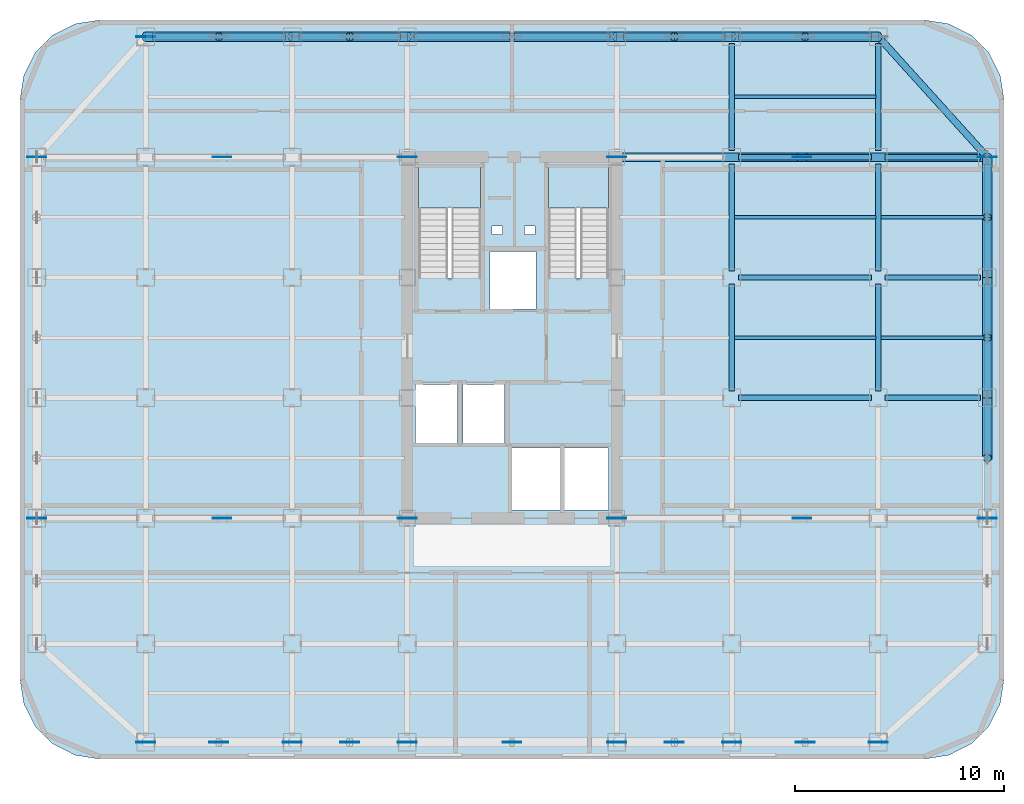
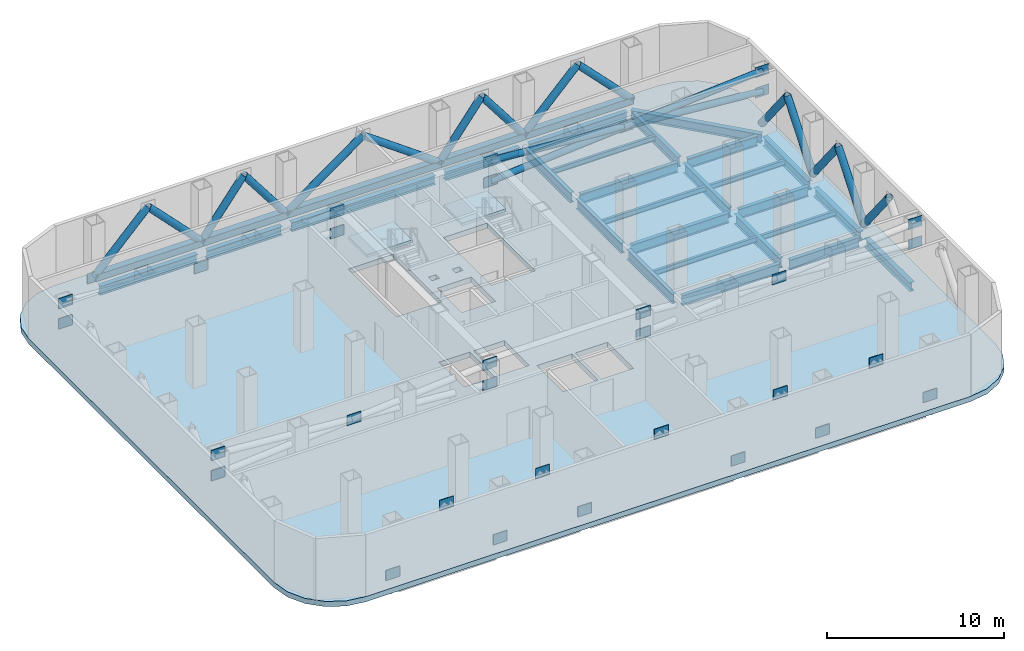
# One storey, part 3 of 9: 32 plates, 26 beams, 23 members, 3 slabs, 2 elements without a shape of their own.
"""IFC4 building model written with IfcOpenShell, lengths in metres."""

from ifc_helpers import new_model, si_unit, direction, frame, origin, origin_2d, place, context, subcontext, project, spatial, polyline, rectangle, hollow_rectangle, hollow_circle, i_section, outline, extrude, source, transform, mapped, material, layer, layer_set, material_profile, profile_set, type_object, element, aggregate, save


model = new_model("IFC4")

# Units and contexts
model_context = context("Model", 3, precision=1e-05, world=origin(), true_north=direction((0.0, 1.0)))
body_context = subcontext(model_context, "Body", "Model", "MODEL_VIEW")
ifc_project = project(units=[si_unit("LENGTHUNIT", "METRE"), si_unit("AREAUNIT", "SQUARE_METRE"), si_unit("VOLUMEUNIT", "CUBIC_METRE"), si_unit("PLANEANGLEUNIT", "RADIAN"), si_unit("MASSUNIT", "GRAM", prefix="KILO")], contexts=[model_context])

# Site, building, storey
site_placement = place(None, origin())
site = spatial("IfcSite", under=ifc_project, at=site_placement, CompositionType="ELEMENT")
building_placement = place(site_placement, origin())
building = spatial("IfcBuilding", under=site, at=building_placement, Name="Kolveth Station Tower", CompositionType="ELEMENT")
storey_placement = place(building_placement, frame((0.0, 0.0, 143.89990234375)))
storey = spatial("IfcBuildingStorey", under=building, at=storey_placement, Name="L40", CompositionType="ELEMENT", Elevation=143.89990234375)

# Beams
ifc_material_1 = material(Name="Steel S355", Category="steel")
ifc_material_profile_1 = material_profile(ifc_material_1, i_section(OverallWidth=0.323974609375, OverallDepth=0.611083984375, WebThickness=0.0126953125, FlangeThickness=0.01904296875, at=origin_2d()), Name="W610x155")
ifc_profile_set_1 = profile_set([ifc_material_profile_1], Name="Steel S355")
beam_type_1 = type_object("IfcBeamType", Name="Beam_SP2", PredefinedType="SPANDREL", material=ifc_profile_set_1)
shared_shape_1 = source(origin(), body_context, "Body", "SweptSolid", [
    extrude(i_section(OverallWidth=0.323974609375, OverallDepth=0.611083984375, WebThickness=0.0126953125, FlangeThickness=0.01904296875, at=origin_2d()), origin(), (0.0, 0.0, 1.0), 6.35986328125),
])
for number, where, z_axis, x_axis, name in (
    (1, (6.320068359375, 34.5, -0.665283203125), (1.0, 0.0, 0.0), (0.0, 1.0, 0.0), "L40 Perimeter Spandrel BM-L40-PN-1"),
    (2, (34.320068359375, 34.5, -0.665283203125), (1.0, 0.0, 0.0), (0.0, 1.0, 0.0), "L40 Perimeter Spandrel BM-L40-PN-5"),
):
    element("IfcBeam", number, at=place(storey_placement, frame(where, z_axis=z_axis, x_axis=x_axis)), inside=storey, type_object=beam_type_1, Name=name, PredefinedType="SPANDREL", context=body_context, shape_type="MappedRepresentation", body=[
        mapped(shared_shape_1, transform((0.0, 0.0, 0.0), x_axis=(1.0, 0.0, 0.0), y_axis=(0.0, 1.0, 0.0), z_axis=(0.0, 0.0, 1.0), scale=1.0)),
    ])
shared_shape_2 = source(origin(), body_context, "Body", "SweptSolid", [
    extrude(i_section(OverallWidth=0.323974609375, OverallDepth=0.611083984375, WebThickness=0.0126953125, FlangeThickness=0.01904296875, at=origin_2d()), origin(), (0.0, 0.0, 1.0), 4.85986328125),
])
for number, where, z_axis, x_axis, name in (
    (3, (13.320068359375, 34.5, -0.665283203125), (1.0, 0.0, 0.0), (0.0, 1.0, 0.0), "L40 Perimeter Spandrel BM-L40-PN-2"),
    (4, (28.820068359375, 34.5, -0.665283203125), (1.0, 0.0, 0.0), (0.0, 1.0, 0.0), "L40 Perimeter Spandrel BM-L40-PN-4"),
):
    element("IfcBeam", number, at=place(storey_placement, frame(where, z_axis=z_axis, x_axis=x_axis)), inside=storey, type_object=beam_type_1, Name=name, PredefinedType="SPANDREL", context=body_context, shape_type="MappedRepresentation", body=[
        mapped(shared_shape_2, transform((0.0, 0.0, 0.0), x_axis=(1.0, 0.0, 0.0), y_axis=(0.0, 1.0, 0.0), z_axis=(0.0, 0.0, 1.0), scale=1.0)),
    ])
shared_shape_3 = source(origin(), body_context, "Body", "SweptSolid", [
    extrude(i_section(OverallWidth=0.323974609375, OverallDepth=0.611083984375, WebThickness=0.0126953125, FlangeThickness=0.01904296875, at=origin_2d()), origin(), (0.0, 0.0, 1.0), 9.35986328125),
])
beam_1_placement = place(storey_placement, frame((18.820068359375, 34.5, -0.665283203125), z_axis=(1.0, 0.0, 0.0), x_axis=(0.0, 1.0, 0.0)))
element("IfcBeam", 5, at=beam_1_placement, inside=storey, type_object=beam_type_1, Name="L40 Perimeter Spandrel BM-L40-PN-3", PredefinedType="SPANDREL", context=body_context, shape_type="MappedRepresentation", body=[
    mapped(shared_shape_3, transform((0.0, 0.0, 0.0), x_axis=(1.0, 0.0, 0.0), y_axis=(0.0, 1.0, 0.0), z_axis=(0.0, 0.0, 1.0), scale=1.0)),
])
shared_shape_4 = source(origin(), body_context, "Body", "SweptSolid", [
    extrude(i_section(OverallWidth=0.323974609375, OverallDepth=0.611083984375, WebThickness=0.0126953125, FlangeThickness=0.01904296875, at=origin_2d()), origin(), (0.0, 0.0, 1.0), 5.10986328125),
])
for number, where, z_axis, x_axis, name in (
    (6, (46.199951171875, 11.820068359375, -0.665283203125), (0.0, 1.0, 0.0), (-1.0, 0.0, 0.0), "L40 Perimeter Spandrel BM-L40-PE-2"),
    (7, (46.199951171875, 17.570068359375, -0.665283203125), (0.0, 1.0, 0.0), (-1.0, 0.0, 0.0), "L40 Perimeter Spandrel BM-L40-PE-3"),
    (8, (46.199951171875, 23.320068359375, -0.665283203125), (0.0, 1.0, 0.0), (-1.0, 0.0, 0.0), "L40 Perimeter Spandrel BM-L40-PE-4"),
):
    element("IfcBeam", number, at=place(storey_placement, frame(where, z_axis=z_axis, x_axis=x_axis)), inside=storey, type_object=beam_type_1, Name=name, PredefinedType="SPANDREL", context=body_context, shape_type="MappedRepresentation", body=[
        mapped(shared_shape_4, transform((0.0, 0.0, 0.0), x_axis=(1.0, 0.0, 0.0), y_axis=(0.0, 1.0, 0.0), z_axis=(0.0, 0.0, 1.0), scale=1.0)),
    ])
shared_shape_5 = source(origin(), body_context, "Body", "SweptSolid", [
    extrude(i_section(OverallWidth=0.323974609375, OverallDepth=0.611083984375, WebThickness=0.0126953125, FlangeThickness=0.01904296875, at=origin_2d()), origin(), (0.0, 0.0, 1.0), 7.75244140625),
])
beam_2_placement = place(storey_placement, frame((46.199951171875, 28.75, -0.665283203125), z_axis=(-0.670740965555, 0.74169168603, 0.0), x_axis=(-0.74169168603, -0.670740965555, 0.0)))
element("IfcBeam", 9, at=beam_2_placement, inside=storey, type_object=beam_type_1, Name="L40 Corner Edge Girder BM-L40-CNR-NE", PredefinedType="SPANDREL", context=body_context, shape_type="MappedRepresentation", body=[
    mapped(shared_shape_5, transform((0.0, 0.0, 0.0), x_axis=(1.0, 0.0, 0.0), y_axis=(0.0, 1.0, 0.0), z_axis=(0.0, 0.0, 1.0), scale=1.0)),
])
ifc_material_profile_2 = material_profile(ifc_material_1, i_section(OverallWidth=0.25390625, OverallDepth=0.68798828125, WebThickness=0.01318359375, FlangeThickness=0.02099609375, at=origin_2d()), Name="W690x152")
ifc_profile_set_2 = profile_set([ifc_material_profile_2], Name="Steel S355")
beam_type_2 = type_object("IfcBeamType", Name="Beam_B4", PredefinedType="BEAM", material=ifc_profile_set_2)
shared_shape_6 = source(origin(), body_context, "Body", "SweptSolid", [
    extrude(i_section(OverallWidth=0.25390625, OverallDepth=0.68798828125, WebThickness=0.01318359375, FlangeThickness=0.02099609375, at=origin_2d()), origin(), (0.0, 0.0, 1.0), 4.559814453125),
])
for number, where, z_axis, x_axis, name in (
    (10, (41.320068359375, 17.25, -0.703857421875), (1.0, 0.0, 0.0), (0.0, 1.0, 0.0), "L40 Primary Girder BM-L40-GY172-7"),
    (11, (41.320068359375, 23.0, -0.703857421875), (1.0, 0.0, 0.0), (0.0, 1.0, 0.0), "L40 Primary Girder BM-L40-GY230-7"),
    (12, (41.320068359375, 28.75, -0.703857421875), (1.0, 0.0, 0.0), (0.0, 1.0, 0.0), "L40 Primary Girder BM-L40-GY287-7"),
):
    element("IfcBeam", number, at=place(storey_placement, frame(where, z_axis=z_axis, x_axis=x_axis)), inside=storey, type_object=beam_type_2, Name=name, PredefinedType="BEAM", context=body_context, shape_type="MappedRepresentation", body=[
        mapped(shared_shape_6, transform((0.0, 0.0, 0.0), x_axis=(1.0, 0.0, 0.0), y_axis=(0.0, 1.0, 0.0), z_axis=(0.0, 0.0, 1.0), scale=1.0)),
    ])
shared_shape_7 = source(origin(), body_context, "Body", "SweptSolid", [
    extrude(i_section(OverallWidth=0.25390625, OverallDepth=0.68798828125, WebThickness=0.01318359375, FlangeThickness=0.02099609375, at=origin_2d()), origin(), (0.0, 0.0, 1.0), 6.35986328125),
])
for number, where, z_axis, x_axis, name in (
    (13, (34.320068359375, 17.25, -0.703857421875), (1.0, 0.0, 0.0), (0.0, 1.0, 0.0), "L40 Primary Girder BM-L40-GY172-6"),
    (14, (34.320068359375, 23.0, -0.703857421875), (1.0, 0.0, 0.0), (0.0, 1.0, 0.0), "L40 Primary Girder BM-L40-GY230-6"),
    (15, (34.320068359375, 28.75, -0.703857421875), (1.0, 0.0, 0.0), (0.0, 1.0, 0.0), "L40 Primary Girder BM-L40-GY287-6"),
):
    element("IfcBeam", number, at=place(storey_placement, frame(where, z_axis=z_axis, x_axis=x_axis)), inside=storey, type_object=beam_type_2, Name=name, PredefinedType="BEAM", context=body_context, shape_type="MappedRepresentation", body=[
        mapped(shared_shape_7, transform((0.0, 0.0, 0.0), x_axis=(1.0, 0.0, 0.0), y_axis=(0.0, 1.0, 0.0), z_axis=(0.0, 0.0, 1.0), scale=1.0)),
    ])
shared_shape_8 = source(origin(), body_context, "Body", "SweptSolid", [
    extrude(i_section(OverallWidth=0.25390625, OverallDepth=0.68798828125, WebThickness=0.01318359375, FlangeThickness=0.02099609375, at=origin_2d()), origin(), (0.0, 0.0, 1.0), 5.10986328125),
])
for number, where, z_axis, x_axis, name in (
    (16, (34.0, 17.570068359375, -0.703857421875), (0.0, 1.0, 0.0), (-1.0, 0.0, 0.0), "L40 Primary Girder BM-L40-GX340-4"),
    (17, (34.0, 23.320068359375, -0.703857421875), (0.0, 1.0, 0.0), (-1.0, 0.0, 0.0), "L40 Primary Girder BM-L40-GX340-5"),
    (18, (34.0, 29.070068359375, -0.703857421875), (0.0, 1.0, 0.0), (-1.0, 0.0, 0.0), "L40 Primary Girder BM-L40-GX340-6"),
    (19, (41.0, 17.570068359375, -0.703857421875), (0.0, 1.0, 0.0), (-1.0, 0.0, 0.0), "L40 Primary Girder BM-L40-GX410-4"),
    (20, (41.0, 23.320068359375, -0.703857421875), (0.0, 1.0, 0.0), (-1.0, 0.0, 0.0), "L40 Primary Girder BM-L40-GX410-5"),
    (21, (41.0, 29.070068359375, -0.703857421875), (0.0, 1.0, 0.0), (-1.0, 0.0, 0.0), "L40 Primary Girder BM-L40-GX410-6"),
):
    element("IfcBeam", number, at=place(storey_placement, frame(where, z_axis=z_axis, x_axis=x_axis)), inside=storey, type_object=beam_type_2, Name=name, PredefinedType="BEAM", context=body_context, shape_type="MappedRepresentation", body=[
        mapped(shared_shape_8, transform((0.0, 0.0, 0.0), x_axis=(1.0, 0.0, 0.0), y_axis=(0.0, 1.0, 0.0), z_axis=(0.0, 0.0, 1.0), scale=1.0)),
    ])
ifc_material_profile_3 = material_profile(ifc_material_1, i_section(OverallWidth=0.1708984375, OverallDepth=0.35205078125, WebThickness=0.0068359375, FlangeThickness=0.009765625, at=origin_2d()), Name="W360x44")
ifc_profile_set_3 = profile_set([ifc_material_profile_3], Name="Steel S355")
beam_type_3 = type_object("IfcBeamType", Name="Beam_J2", PredefinedType="JOIST", material=ifc_profile_set_3)
shared_shape_9 = source(origin(), body_context, "Body", "SweptSolid", [
    extrude(i_section(OverallWidth=0.1708984375, OverallDepth=0.35205078125, WebThickness=0.0068359375, FlangeThickness=0.009765625, at=origin_2d()), origin(), (0.0, 0.0, 1.0), 4.9150390625),
])
for number, where, z_axis, x_axis, name in (
    (22, (41.125, 20.125, -0.535888671875), (1.0, 0.0, 0.0), (0.0, 1.0, 0.0), "L40 Secondary Joist JST-L40-7-4"),
    (23, (41.125, 25.875, -0.535888671875), (1.0, 0.0, 0.0), (0.0, 1.0, 0.0), "L40 Secondary Joist JST-L40-7-5"),
):
    element("IfcBeam", number, at=place(storey_placement, frame(where, z_axis=z_axis, x_axis=x_axis)), inside=storey, type_object=beam_type_3, Name=name, PredefinedType="JOIST", context=body_context, shape_type="MappedRepresentation", body=[
        mapped(shared_shape_9, transform((0.0, 0.0, 0.0), x_axis=(1.0, 0.0, 0.0), y_axis=(0.0, 1.0, 0.0), z_axis=(0.0, 0.0, 1.0), scale=1.0)),
    ])
shared_shape_10 = source(origin(), body_context, "Body", "SweptSolid", [
    extrude(i_section(OverallWidth=0.1708984375, OverallDepth=0.35205078125, WebThickness=0.0068359375, FlangeThickness=0.009765625, at=origin_2d()), origin(), (0.0, 0.0, 1.0), 6.75),
])
for number, where, z_axis, x_axis, name in (
    (24, (34.125, 20.125, -0.535888671875), (1.0, 0.0, 0.0), (0.0, 1.0, 0.0), "L40 Secondary Joist JST-L40-6-4"),
    (25, (34.125, 25.875, -0.535888671875), (1.0, 0.0, 0.0), (0.0, 1.0, 0.0), "L40 Secondary Joist JST-L40-6-5"),
    (26, (34.125, 31.625, -0.535888671875), (1.0, 0.0, 0.0), (0.0, 1.0, 0.0), "L40 Secondary Joist JST-L40-6-6"),
):
    element("IfcBeam", number, at=place(storey_placement, frame(where, z_axis=z_axis, x_axis=x_axis)), inside=storey, type_object=beam_type_3, Name=name, PredefinedType="JOIST", context=body_context, shape_type="MappedRepresentation", body=[
        mapped(shared_shape_10, transform((0.0, 0.0, 0.0), x_axis=(1.0, 0.0, 0.0), y_axis=(0.0, 1.0, 0.0), z_axis=(0.0, 0.0, 1.0), scale=1.0)),
    ])

# Members
ifc_material_2 = material(Name="Steel S460", Category="steel")
ifc_material_profile_4 = material_profile(ifc_material_2, hollow_rectangle(XDim=0.449951171875, YDim=0.449951171875, WallThickness=0.02490234375, at=origin_2d()), Name="HSS450x450x25")
ifc_profile_set_4 = profile_set([ifc_material_profile_4], Name="Steel S460")
member_type_1 = type_object("IfcMemberType", Name="Mem_CH1", PredefinedType="CHORD", material=ifc_profile_set_4)
shared_shape_11 = source(origin(), body_context, "Body", "SweptSolid", [
    extrude(hollow_rectangle(XDim=0.449951171875, YDim=0.449951171875, WallThickness=0.02490234375, at=origin_2d()), origin(), (0.0, 0.0, 1.0), 7.0),
])
for number, where, z_axis, x_axis, name in (
    (27, (6.0, 34.5, 0.35009765625), (1.0, 0.0, 0.0), (0.0, 1.0, 0.0), "L40 Belt Truss Bottom Chord N1"),
    (28, (34.0, 34.5, 0.35009765625), (1.0, 0.0, 0.0), (0.0, 1.0, 0.0), "L40 Belt Truss Bottom Chord N5"),
):
    element("IfcMember", number, at=place(storey_placement, frame(where, z_axis=z_axis, x_axis=x_axis)), inside=storey, type_object=member_type_1, Name=name, PredefinedType="CHORD", context=body_context, shape_type="MappedRepresentation", body=[
        mapped(shared_shape_11, transform((0.0, 0.0, 0.0), x_axis=(1.0, 0.0, 0.0), y_axis=(0.0, 1.0, 0.0), z_axis=(0.0, 0.0, 1.0), scale=1.0)),
    ])
shared_shape_12 = source(origin(), body_context, "Body", "SweptSolid", [
    extrude(hollow_rectangle(XDim=0.449951171875, YDim=0.449951171875, WallThickness=0.02490234375, at=origin_2d()), origin(), (0.0, 0.0, 1.0), 5.5),
])
for number, where, z_axis, x_axis, name in (
    (29, (13.0, 34.5, 0.35009765625), (1.0, 0.0, 0.0), (0.0, 1.0, 0.0), "L40 Belt Truss Bottom Chord N2"),
    (30, (28.5, 34.5, 0.35009765625), (1.0, 0.0, 0.0), (0.0, 1.0, 0.0), "L40 Belt Truss Bottom Chord N4"),
):
    element("IfcMember", number, at=place(storey_placement, frame(where, z_axis=z_axis, x_axis=x_axis)), inside=storey, type_object=member_type_1, Name=name, PredefinedType="CHORD", context=body_context, shape_type="MappedRepresentation", body=[
        mapped(shared_shape_12, transform((0.0, 0.0, 0.0), x_axis=(1.0, 0.0, 0.0), y_axis=(0.0, 1.0, 0.0), z_axis=(0.0, 0.0, 1.0), scale=1.0)),
    ])
shared_shape_13 = source(origin(), body_context, "Body", "SweptSolid", [
    extrude(hollow_rectangle(XDim=0.449951171875, YDim=0.449951171875, WallThickness=0.02490234375, at=origin_2d()), origin(), (0.0, 0.0, 1.0), 10.0),
])
member_1_placement = place(storey_placement, frame((18.5, 34.5, 0.35009765625), z_axis=(1.0, 0.0, 0.0), x_axis=(0.0, 1.0, 0.0)))
element("IfcMember", 31, at=member_1_placement, inside=storey, type_object=member_type_1, Name="L40 Belt Truss Bottom Chord N3", PredefinedType="CHORD", context=body_context, shape_type="MappedRepresentation", body=[
    mapped(shared_shape_13, transform((0.0, 0.0, 0.0), x_axis=(1.0, 0.0, 0.0), y_axis=(0.0, 1.0, 0.0), z_axis=(0.0, 0.0, 1.0), scale=1.0)),
])
ifc_material_profile_5 = material_profile(ifc_material_2, hollow_circle(Radius=0.228515625, WallThickness=0.02197265625, at=origin_2d()), Name="CHS457x22")
ifc_profile_set_5 = profile_set([ifc_material_profile_5], Name="Steel S460")
member_type_2 = type_object("IfcMemberType", Name="Mem_BR2", PredefinedType="BRACE", material=ifc_profile_set_5)
shared_shape_14 = source(origin(), body_context, "Body", "SweptSolid", [
    extrude(hollow_circle(Radius=0.228515625, WallThickness=0.02197265625, at=origin_2d()), origin(), (0.0, 0.0, 1.0), 5.02099609375),
])
for number, where, z_axis, x_axis, name in (
    (32, (6.0, 34.5, 0.35009765625), (0.697068672355, 0.0, 0.717004369597), (0.0, 1.0, 0.0), "L40 Belt Truss Brace N1A"),
    (33, (13.0, 34.5, 0.35009765625), (-0.697068672355, 0.0, 0.717004369597), (0.0, -1.0, 0.0), "L40 Belt Truss Brace N1B"),
    (34, (34.0, 34.5, 0.35009765625), (0.697068672355, 0.0, 0.717004369597), (0.0, 1.0, 0.0), "L40 Belt Truss Brace N5A"),
    (35, (41.0, 34.5, 0.35009765625), (-0.697068672355, 0.0, 0.717004369597), (0.0, -1.0, 0.0), "L40 Belt Truss Brace N5B"),
):
    element("IfcMember", number, at=place(storey_placement, frame(where, z_axis=z_axis, x_axis=x_axis)), inside=storey, type_object=member_type_2, Name=name, PredefinedType="BRACE", context=body_context, shape_type="MappedRepresentation", body=[
        mapped(shared_shape_14, transform((0.0, 0.0, 0.0), x_axis=(1.0, 0.0, 0.0), y_axis=(0.0, 1.0, 0.0), z_axis=(0.0, 0.0, 1.0), scale=1.0)),
    ])
shared_shape_15 = source(origin(), body_context, "Body", "SweptSolid", [
    extrude(hollow_circle(Radius=0.228515625, WallThickness=0.02197265625, at=origin_2d()), origin(), (0.0, 0.0, 1.0), 4.5302734375),
])
for number, where, z_axis, x_axis, name in (
    (36, (13.0, 34.5, 0.35009765625), (0.607029954036, 0.0, 0.794678950836), (0.0, 1.0, 0.0), "L40 Belt Truss Brace N2A"),
    (37, (18.5, 34.5, 0.35009765625), (-0.607029954036, 0.0, 0.794678950836), (0.0, -1.0, 0.0), "L40 Belt Truss Brace N2B"),
    (38, (28.5, 34.5, 0.35009765625), (0.607029954036, 0.0, 0.794678950836), (0.0, 1.0, 0.0), "L40 Belt Truss Brace N4A"),
    (39, (34.0, 34.5, 0.35009765625), (-0.607029954036, 0.0, 0.794678950836), (0.0, -1.0, 0.0), "L40 Belt Truss Brace N4B"),
):
    element("IfcMember", number, at=place(storey_placement, frame(where, z_axis=z_axis, x_axis=x_axis)), inside=storey, type_object=member_type_2, Name=name, PredefinedType="BRACE", context=body_context, shape_type="MappedRepresentation", body=[
        mapped(shared_shape_15, transform((0.0, 0.0, 0.0), x_axis=(1.0, 0.0, 0.0), y_axis=(0.0, 1.0, 0.0), z_axis=(0.0, 0.0, 1.0), scale=1.0)),
    ])
shared_shape_16 = source(origin(), body_context, "Body", "SweptSolid", [
    extrude(hollow_circle(Radius=0.228515625, WallThickness=0.02197265625, at=origin_2d()), origin(), (0.0, 0.0, 1.0), 6.1611328125),
])
for number, where, z_axis, x_axis, name in (
    (40, (18.5, 34.5, 0.35009765625), (0.811526825515, 0.0, 0.584315164504), (0.0, 1.0, 0.0), "L40 Belt Truss Brace N3A"),
    (41, (28.5, 34.5, 0.35009765625), (-0.811526825515, 0.0, 0.584315164504), (0.0, -1.0, 0.0), "L40 Belt Truss Brace N3B"),
):
    element("IfcMember", number, at=place(storey_placement, frame(where, z_axis=z_axis, x_axis=x_axis)), inside=storey, type_object=member_type_2, Name=name, PredefinedType="BRACE", context=body_context, shape_type="MappedRepresentation", body=[
        mapped(shared_shape_16, transform((0.0, 0.0, 0.0), x_axis=(1.0, 0.0, 0.0), y_axis=(0.0, 1.0, 0.0), z_axis=(0.0, 0.0, 1.0), scale=1.0)),
    ])
shared_shape_17 = source(origin(), body_context, "Body", "SweptSolid", [
    extrude(hollow_circle(Radius=0.228515625, WallThickness=0.02197265625, at=origin_2d()), origin(), (0.0, 0.0, 1.0), 4.607177734375),
])
for number, where, z_axis, x_axis, name in (
    (42, (46.199951171875, 17.25, 0.35009765625), (0.0, -0.624022734425, 0.781406185617), (1.0, 0.0, 0.0), "L40 Belt Truss Brace E2B"),
    (43, (46.199951171875, 17.25, 0.35009765625), (0.0, 0.624022734425, 0.781406185617), (-1.0, 0.0, 0.0), "L40 Belt Truss Brace E3A"),
    (44, (46.199951171875, 23.0, 0.35009765625), (0.0, -0.624022734425, 0.781406185617), (1.0, 0.0, 0.0), "L40 Belt Truss Brace E3B"),
    (45, (46.199951171875, 23.0, 0.35009765625), (0.0, 0.624022734425, 0.781406185617), (-1.0, 0.0, 0.0), "L40 Belt Truss Brace E4A"),
    (46, (46.199951171875, 28.75, 0.35009765625), (0.0, -0.624022734425, 0.781406185617), (1.0, 0.0, 0.0), "L40 Belt Truss Brace E4B"),
):
    element("IfcMember", number, at=place(storey_placement, frame(where, z_axis=z_axis, x_axis=x_axis)), inside=storey, type_object=member_type_2, Name=name, PredefinedType="BRACE", context=body_context, shape_type="MappedRepresentation", body=[
        mapped(shared_shape_17, transform((0.0, 0.0, 0.0), x_axis=(1.0, 0.0, 0.0), y_axis=(0.0, 1.0, 0.0), z_axis=(0.0, 0.0, 1.0), scale=1.0)),
    ])
ifc_material_profile_6 = material_profile(ifc_material_1, hollow_circle(Radius=0.202880859375, WallThickness=0.02001953125, at=origin_2d()), Name="CHS406x20")
ifc_profile_set_6 = profile_set([ifc_material_profile_6], Name="Steel S355")
member_type_3 = type_object("IfcMemberType", Name="Mem_BR3", PredefinedType="BRACE", material=ifc_profile_set_6)
shared_shape_18 = source(origin(), body_context, "Body", "SweptSolid", [
    extrude(hollow_circle(Radius=0.202880859375, WallThickness=0.02001953125, at=origin_2d()), origin(), (0.0, 0.0, 1.0), 17.755126953125),
])
member_2_placement = place(storey_placement, frame((28.5, 28.75, 2.550048828125), z_axis=(0.996885843519, 0.0, 0.078858195459), x_axis=(0.0, 1.0, 0.0)))
element("IfcMember", 47, at=member_2_placement, inside=storey, type_object=member_type_3, Name="L40 Outrigger Continuous Diagonal 4A", PredefinedType="BRACE", context=body_context, shape_type="MappedRepresentation", body=[
    mapped(shared_shape_18, transform((0.0, 0.0, 0.0), x_axis=(1.0, 0.0, 0.0), y_axis=(0.0, 1.0, 0.0), z_axis=(0.0, 0.0, 1.0), scale=1.0)),
])
shared_shape_19 = source(origin(), body_context, "Body", "SweptSolid", [
    extrude(hollow_circle(Radius=0.202880859375, WallThickness=0.02001953125, at=origin_2d()), origin(), (0.0, 0.0, 1.0), 8.657470703125),
])
for number, where, z_axis, x_axis, name in (
    (48, (46.199951171875, 28.75, 2.550048828125), (-0.996884567752, 0.0, 0.078874321405), (0.0, -1.0, 0.0), "L40 Outrigger Split Lower Diagonal 4B1"),
    (49, (37.130615234375, 28.75, 3.267333984375), (-0.996884567752, 0.0, 0.078874321405), (0.0, -1.0, 0.0), "L40 Outrigger Split Upper Diagonal 4B2"),
):
    element("IfcMember", number, at=place(storey_placement, frame(where, z_axis=z_axis, x_axis=x_axis)), inside=storey, type_object=member_type_3, Name=name, PredefinedType="BRACE", context=body_context, shape_type="MappedRepresentation", body=[
        mapped(shared_shape_19, transform((0.0, 0.0, 0.0), x_axis=(1.0, 0.0, 0.0), y_axis=(0.0, 1.0, 0.0), z_axis=(0.0, 0.0, 1.0), scale=1.0)),
    ])

# Slab
ifc_material_3 = material(Name="Concrete C50/60", Category="concrete")
ifc_layer_1 = layer(ifc_material_3, 0.360107421875)
ifc_layer_set_1 = layer_set([ifc_layer_1], Name="Concrete C50/60")
slab_type_1 = type_object("IfcSlabType", Name="Slab_SF-360", PredefinedType="FLOOR", material=ifc_layer_set_1)
slab_1_placement = place(storey_placement, frame((0.0, 0.0, -0.35986328125)))
element("IfcSlab", 50, at=slab_1_placement, inside=storey, type_object=slab_type_1, Name="L40 Tower Structural Floor Slab", PredefinedType="FLOOR", context=body_context, shape_type="SweptSolid", body=[
    extrude(outline(polyline([(43.199951171875, 0.0), (44.374267578125, 0.18603515625), (45.43359375, 0.7255859375), (46.2744140625, 1.56640625), (46.81396484375, 2.625732421875), (47.0, 3.800048828125), (47.0, 31.5), (46.81396484375, 32.67431640625), (46.2744140625, 33.733642578125), (45.43359375, 34.57421875), (44.374267578125, 35.114013671875), (43.199951171875, 35.300048828125), (3.800048828125, 35.300048828125), (2.625732421875, 35.114013671875), (1.56640625, 34.57421875), (0.7255859375, 33.733642578125), (0.18603515625, 32.67431640625), (0.0, 31.5), (0.0, 3.800048828125), (0.18603515625, 2.625732421875), (0.7255859375, 1.56640625), (1.56640625, 0.7255859375), (2.625732421875, 0.18603515625), (3.800048828125, 0.0), (43.199951171875, 0.0)]), holes=[polyline([(19.0400390625, 22.985107421875), (22.0, 22.985107421875), (22.0, 28.39990234375), (19.0400390625, 28.39990234375), (19.0400390625, 22.985107421875)]), polyline([(25.239990234375, 22.985107421875), (28.10009765625, 22.985107421875), (28.10009765625, 28.39990234375), (25.239990234375, 28.39990234375), (25.239990234375, 22.985107421875)]), polyline([(18.89990234375, 15.10009765625), (20.89990234375, 15.10009765625), (20.89990234375, 17.89990234375), (18.89990234375, 17.89990234375), (18.89990234375, 15.10009765625)]), polyline([(21.14990234375, 15.10009765625), (23.14990234375, 15.10009765625), (23.14990234375, 17.89990234375), (21.14990234375, 17.89990234375), (21.14990234375, 15.10009765625)]), polyline([(22.449951171875, 21.5), (24.64990234375, 21.5), (24.64990234375, 24.25), (22.449951171875, 24.25), (22.449951171875, 21.5)]), polyline([(23.5, 11.89990234375), (25.800048828125, 11.89990234375), (25.800048828125, 14.85009765625), (23.5, 14.85009765625), (23.5, 11.89990234375)]), polyline([(26.0, 11.89990234375), (28.10009765625, 11.89990234375), (28.10009765625, 14.85009765625), (26.0, 14.85009765625), (26.0, 11.89990234375)]), polyline([(22.550048828125, 25.050048828125), (23.050048828125, 25.050048828125), (23.050048828125, 25.449951171875), (22.550048828125, 25.449951171875), (22.550048828125, 25.050048828125)]), polyline([(24.10009765625, 25.050048828125), (24.60009765625, 25.050048828125), (24.60009765625, 25.449951171875), (24.10009765625, 25.449951171875), (24.10009765625, 25.050048828125)])]), origin(), (0.0, 0.0, 1.0), 0.35986328125),
])

# Stair, slab
ifc_material_4 = material(Name="Concrete C40/50", Category="concrete")
stair_type_1 = type_object("IfcStairType", Name="Stair_ST2", PredefinedType="HALF_TURN_STAIR", material=ifc_material_4)
stair_1_placement = place(storey_placement, origin())
stair_1 = element("IfcStair", 51, at=stair_1_placement, inside=storey, type_object=stair_type_1, Name="L40 Tower Exit Stair ST2", PredefinedType="HALF_TURN_STAIR")
ifc_layer_2 = layer(ifc_material_4, 0.18994140625)
ifc_layer_set_2 = layer_set([ifc_layer_2], Name="Concrete C40/50")
slab_type_2 = type_object("IfcSlabType", Name="Slab_SL-190", PredefinedType="LANDING", material=ifc_layer_set_2)
slab_2_placement = place(storey_placement, frame((0.0, 0.0, 2.050048828125)))
slab_2 = element("IfcSlab", 52, at=slab_2_placement, type_object=slab_type_2, Name="ST2 landing 1", PredefinedType="LANDING", context=body_context, shape_type="SweptSolid", body=[
    extrude(outline(polyline([(28.10009765625, 26.31005859375), (28.10009765625, 28.39990234375), (25.239990234375, 28.39990234375), (25.239990234375, 26.31005859375), (28.10009765625, 26.31005859375)])), origin(), (0.0, 0.0, 1.0), 0.199951171875),
])
aggregate(stair_1, [slab_2])

stair_type_2 = type_object("IfcStairType", Name="Stair_ST1", PredefinedType="HALF_TURN_STAIR", material=ifc_material_4)
stair_2_placement = place(storey_placement, origin())
stair_2 = element("IfcStair", 53, at=stair_2_placement, inside=storey, type_object=stair_type_2, Name="L40 Tower Exit Stair ST1", PredefinedType="HALF_TURN_STAIR")
ifc_layer_3 = layer(ifc_material_4, 0.205078125)
ifc_layer_set_3 = layer_set([ifc_layer_3], Name="Concrete C40/50")
slab_type_3 = type_object("IfcSlabType", Name="Slab_SL-205", PredefinedType="LANDING", material=ifc_layer_set_3)
slab_3_placement = place(storey_placement, frame((0.0, 0.0, 2.050048828125)))
slab_3 = element("IfcSlab", 54, at=slab_3_placement, type_object=slab_type_3, Name="ST1 landing 1", PredefinedType="LANDING", context=body_context, shape_type="SweptSolid", body=[
    extrude(outline(polyline([(22.0, 26.31005859375), (22.0, 28.39990234375), (19.0400390625, 28.39990234375), (19.0400390625, 26.31005859375), (22.0, 26.31005859375)])), origin(), (0.0, 0.0, 1.0), 0.199951171875),
])
aggregate(stair_2, [slab_3])

# Plates
ifc_layer_4 = layer(ifc_material_2, 0.031982421875)
ifc_layer_set_4 = layer_set([ifc_layer_4], Name="Steel S460")
plate_type = type_object("IfcPlateType", Name="Plate_GP1", PredefinedType="USERDEFINED", material=ifc_layer_set_4)
shared_shape_20 = source(origin(), body_context, "Body", "SweptSolid", [
    extrude(rectangle(XDim=0.89990234375, YDim=0.031982421875, at=origin_2d()), origin(), (0.0, 0.0, 1.0), 0.699951171875),
])
for number, where, z_axis, x_axis, name in (
    (55, (6.0, 0.800048828125, 0.0), (0.0, 0.0, 1.0), (1.0, 0.0, 0.0), "L40 Belt Truss Base Gusset S1"),
    (56, (13.0, 0.800048828125, 0.0), (0.0, 0.0, 1.0), (1.0, 0.0, 0.0), "L40 Belt Truss Base Gusset S2"),
    (57, (18.5, 0.800048828125, 0.0), (0.0, 0.0, 1.0), (1.0, 0.0, 0.0), "L40 Belt Truss Base Gusset S3"),
    (58, (28.5, 0.800048828125, 0.0), (0.0, 0.0, 1.0), (1.0, 0.0, 0.0), "L40 Belt Truss Base Gusset S4"),
    (59, (34.0, 0.800048828125, 0.0), (0.0, 0.0, 1.0), (1.0, 0.0, 0.0), "L40 Belt Truss Base Gusset S5"),
    (60, (41.0, 0.800048828125, 0.0), (0.0, 0.0, 1.0), (1.0, 0.0, 0.0), "L40 Belt Truss Base Gusset S6"),
    (61, (9.5, 0.800048828125, 3.60009765625), (0.0, 0.0, 1.0), (1.0, 0.0, 0.0), "L40 Belt Truss Node Gusset S1"),
    (62, (15.75, 0.800048828125, 3.60009765625), (0.0, 0.0, 1.0), (1.0, 0.0, 0.0), "L40 Belt Truss Node Gusset S2"),
    (63, (23.5, 0.800048828125, 3.60009765625), (0.0, 0.0, 1.0), (1.0, 0.0, 0.0), "L40 Belt Truss Node Gusset S3"),
    (64, (31.25, 0.800048828125, 3.60009765625), (0.0, 0.0, 1.0), (1.0, 0.0, 0.0), "L40 Belt Truss Node Gusset S4"),
    (65, (37.5, 0.800048828125, 3.60009765625), (0.0, 0.0, 1.0), (1.0, 0.0, 0.0), "L40 Belt Truss Node Gusset S5"),
    (66, (6.0, 34.5, 0.0), (0.0, 0.0, 1.0), (1.0, 0.0, 0.0), "L40 Belt Truss Base Gusset N1"),
    (67, (9.64990234375, 11.5, 2.89990234375), (0.0, 0.0, 1.0), (1.0, 0.0, 0.0), "L40 Outrigger X-Crossing Gusset 1"),
    (68, (0.800048828125, 11.5, 2.2001953125), (0.0, 0.0, 1.0), (1.0, 0.0, 0.0), "L40 Outrigger End Gusset 1.1"),
    (69, (18.5, 11.5, 3.60009765625), (0.0, 0.0, 1.0), (1.0, 0.0, 0.0), "L40 Outrigger End Gusset 1.2"),
    (70, (18.5, 11.5, 2.2001953125), (0.0, 0.0, 1.0), (1.0, 0.0, 0.0), "L40 Outrigger End Gusset 1.3"),
    (71, (0.800048828125, 11.5, 3.60009765625), (0.0, 0.0, 1.0), (1.0, 0.0, 0.0), "L40 Outrigger End Gusset 1.4"),
    (72, (37.35009765625, 11.5, 2.89990234375), (0.0, 0.0, 1.0), (1.0, 0.0, 0.0), "L40 Outrigger X-Crossing Gusset 2"),
    (73, (28.5, 11.5, 2.2001953125), (0.0, 0.0, 1.0), (1.0, 0.0, 0.0), "L40 Outrigger End Gusset 2.1"),
    (74, (46.199951171875, 11.5, 3.60009765625), (0.0, 0.0, 1.0), (1.0, 0.0, 0.0), "L40 Outrigger End Gusset 2.2"),
    (75, (46.199951171875, 11.5, 2.2001953125), (0.0, 0.0, 1.0), (1.0, 0.0, 0.0), "L40 Outrigger End Gusset 2.3"),
    (76, (28.5, 11.5, 3.60009765625), (0.0, 0.0, 1.0), (1.0, 0.0, 0.0), "L40 Outrigger End Gusset 2.4"),
    (77, (9.64990234375, 28.75, 2.89990234375), (0.0, 0.0, 1.0), (1.0, 0.0, 0.0), "L40 Outrigger X-Crossing Gusset 3"),
    (78, (0.800048828125, 28.75, 2.2001953125), (0.0, 0.0, 1.0), (1.0, 0.0, 0.0), "L40 Outrigger End Gusset 3.1"),
    (79, (18.5, 28.75, 3.60009765625), (0.0, 0.0, 1.0), (1.0, 0.0, 0.0), "L40 Outrigger End Gusset 3.2"),
    (80, (18.5, 28.75, 2.2001953125), (0.0, 0.0, 1.0), (1.0, 0.0, 0.0), "L40 Outrigger End Gusset 3.3"),
    (81, (0.800048828125, 28.75, 3.60009765625), (0.0, 0.0, 1.0), (1.0, 0.0, 0.0), "L40 Outrigger End Gusset 3.4"),
    (82, (37.35009765625, 28.75, 2.89990234375), (0.0, 0.0, 1.0), (1.0, 0.0, 0.0), "L40 Outrigger X-Crossing Gusset 4"),
    (83, (28.5, 28.75, 2.2001953125), (0.0, 0.0, 1.0), (1.0, 0.0, 0.0), "L40 Outrigger End Gusset 4.1"),
    (84, (46.199951171875, 28.75, 3.60009765625), (0.0, 0.0, 1.0), (1.0, 0.0, 0.0), "L40 Outrigger End Gusset 4.2"),
    (85, (46.199951171875, 28.75, 2.2001953125), (0.0, 0.0, 1.0), (1.0, 0.0, 0.0), "L40 Outrigger End Gusset 4.3"),
    (86, (28.5, 28.75, 3.60009765625), (0.0, 0.0, 1.0), (1.0, 0.0, 0.0), "L40 Outrigger End Gusset 4.4"),
):
    element("IfcPlate", number, at=place(storey_placement, frame(where, z_axis=z_axis, x_axis=x_axis)), inside=storey, type_object=plate_type, Name=name, ObjectType="GUSSET_PLATE", PredefinedType="USERDEFINED", context=body_context, shape_type="MappedRepresentation", body=[
        mapped(shared_shape_20, transform((0.0, 0.0, 0.0), x_axis=(1.0, 0.0, 0.0), y_axis=(0.0, 1.0, 0.0), z_axis=(0.0, 0.0, 1.0), scale=1.0)),
    ])

save(model, "model.ifc")
